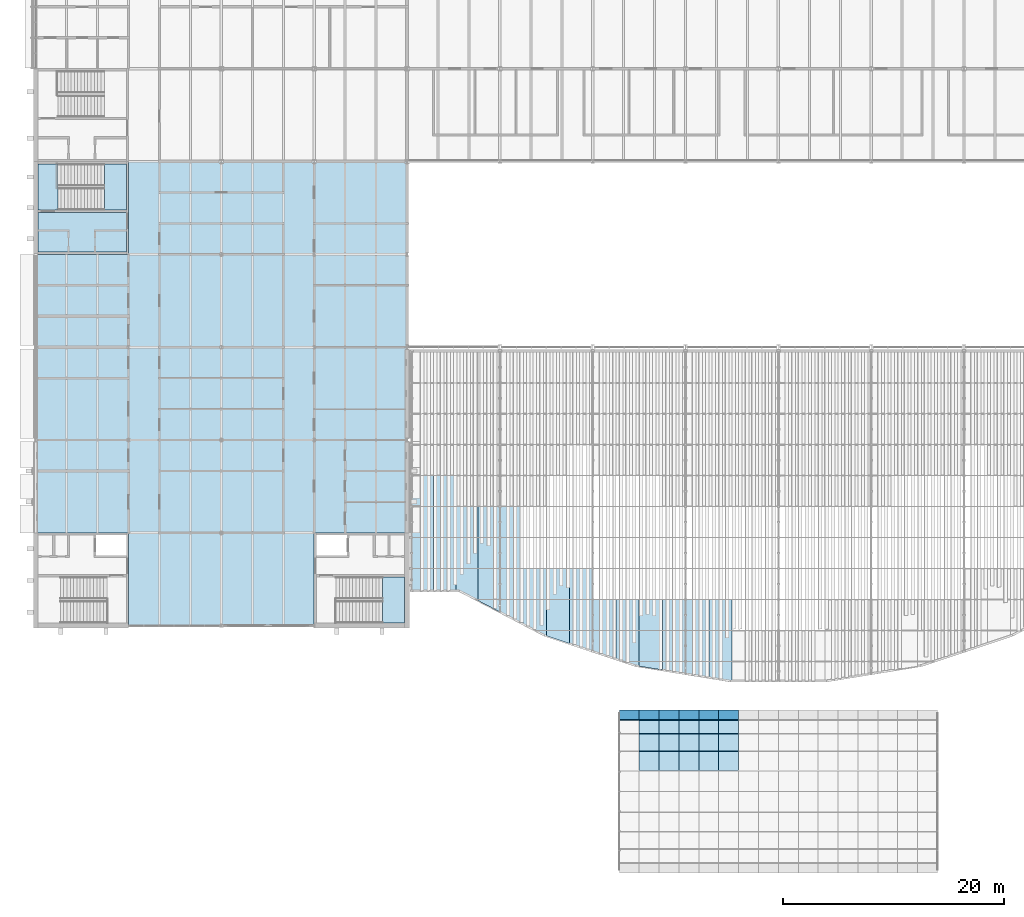
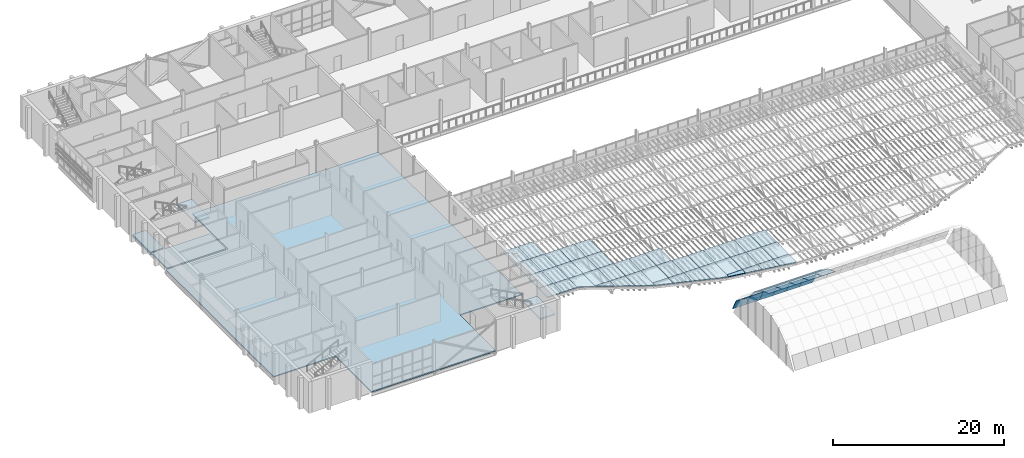
# One storey, part 67 of 129: 64 plates, 6 slabs, 2 elements without a shape of their own.
"""IFC4 building model written with IfcOpenShell, lengths in metres."""

from ifc_helpers import new_model, si_unit, direction, frame, origin, place, context, subcontext, project, spatial, polyline, outline, extrude, material, layer, layer_set, type_object, element, aggregate, save


model = new_model("IFC4")

# Units and contexts
model_context = context("Model", 3, precision=1e-05, world=origin(), true_north=direction((0.0, 1.0)))
body_context = subcontext(model_context, "Body", "Model", "MODEL_VIEW")
ifc_project = project(units=[si_unit("LENGTHUNIT", "METRE"), si_unit("AREAUNIT", "SQUARE_METRE"), si_unit("VOLUMEUNIT", "CUBIC_METRE"), si_unit("PLANEANGLEUNIT", "RADIAN"), si_unit("MASSUNIT", "GRAM", prefix="KILO")], contexts=[model_context])

# Site, building, storey
site_placement = place(None, origin())
site = spatial("IfcSite", under=ifc_project, at=site_placement, CompositionType="ELEMENT")
building_placement = place(site_placement, origin())
building = spatial("IfcBuilding", under=site, at=building_placement, Name="Ardhachandra Cancer Care Centre", CompositionType="ELEMENT")
storey_placement = place(building_placement, frame((0.0, 0.0, 4.5)))
storey = spatial("IfcBuildingStorey", under=building, at=storey_placement, Name="L01", CompositionType="ELEMENT", Elevation=4.5)

# Slabs
ifc_material_1 = material(Name="Composite slab Concrete M30 on steel deck", Category="concrete")
ifc_layer_1 = layer(ifc_material_1, 0.14990234375)
ifc_layer_set_1 = layer_set([ifc_layer_1], Name="Composite slab Concrete M30 on steel deck")
slab_type_1 = type_object("IfcSlabType", Name="Composite floor slab 150", PredefinedType="FLOOR", material=ifc_layer_set_1)
slab_1_placement = place(storey_placement, frame((0.0, 0.0, -0.14990234375)))
element("IfcSlab", 1, at=slab_1_placement, inside=storey, type_object=slab_type_1, Name="Floor slab V2", PredefinedType="FLOOR", context=body_context, shape_type="SweptSolid", body=[
    extrude(outline(polyline([(44.39990234375, 54.60009765625), (44.39990234375, 71.39990234375), (19.199951171875, 71.39990234375), (19.199951171875, 63.0), (10.800048828125, 63.0), (10.800048828125, 37.800048828125), (19.199951171875, 37.800048828125), (19.199951171875, 29.39990234375), (36.0, 29.39990234375), (36.0, 37.800048828125), (44.39990234375, 37.800048828125), (44.39990234375, 54.60009765625)])), origin(), (0.0, 0.0, 1.0), 0.14990234375),
])
ifc_material_2 = material(Name="Concrete M40", Category="concrete")
ifc_layer_2 = layer(ifc_material_2, 0.14990234375)
ifc_layer_set_2 = layer_set([ifc_layer_2], Name="Concrete M40")
slab_type_2 = type_object("IfcSlabType", Name="Core floor slab 150", PredefinedType="FLOOR", material=ifc_layer_set_2)
slab_2_placement = place(storey_placement, frame((0.0, 0.0, -0.14990234375)))
element("IfcSlab", 2, at=slab_2_placement, inside=storey, type_object=slab_type_2, Name="Core floor slab K3 L01 1", PredefinedType="FLOOR", context=body_context, shape_type="SweptSolid", body=[
    extrude(outline(polyline([(11.02490234375, 71.199951171875), (11.02490234375, 67.0), (12.800048828125, 67.0), (12.800048828125, 71.199951171875), (11.02490234375, 71.199951171875)])), origin(), (0.0, 0.0, 1.0), 0.14990234375),
])
slab_3_placement = place(storey_placement, frame((0.0, 0.0, -0.14990234375)))
element("IfcSlab", 3, at=slab_3_placement, inside=storey, type_object=slab_type_2, Name="Core floor slab K3 L01 2", PredefinedType="FLOOR", context=body_context, shape_type="SweptSolid", body=[
    extrude(outline(polyline([(11.02490234375, 63.199951171875), (19.0, 63.199951171875), (19.0, 66.800048828125), (11.02490234375, 66.800048828125), (11.02490234375, 63.199951171875)])), origin(), (0.0, 0.0, 1.0), 0.14990234375),
])
ifc_material_3 = material(Name="Concrete M40", Category="concrete")
ifc_layer_3 = layer(ifc_material_3, 0.300048828125)
ifc_layer_set_3 = layer_set([ifc_layer_3], Name="Concrete M40")
slab_type_3 = type_object("IfcSlabType", Name="Core stair edge slab 300", PredefinedType="FLOOR", material=ifc_layer_set_3)
slab_4_placement = place(storey_placement, frame((0.0, 0.0, -0.449951171875)))
element("IfcSlab", 4, at=slab_4_placement, inside=storey, type_object=slab_type_3, Name="Core stair edge slab K3 L01", PredefinedType="FLOOR", context=body_context, shape_type="SweptSolid", body=[
    extrude(outline(polyline([(12.800048828125, 71.199951171875), (12.800048828125, 67.0), (11.02490234375, 67.0), (11.02490234375, 71.199951171875), (12.800048828125, 71.199951171875)])), origin(), (0.0, 0.0, 1.0), 0.300048828125),
])

# Plates
ifc_material_4 = material(Name="Glass, laminated low-e insulating unit", Category="glass")
ifc_layer_4 = layer(ifc_material_4, 0.1201171875)
ifc_layer_set_4 = layer_set([ifc_layer_4], Name="Glass, laminated low-e insulating unit")
plate_type_1 = type_object("IfcPlateType", Name="Court glass cassette 120", PredefinedType="SHEET", material=ifc_layer_set_4)
for number, where, z_axis, x_axis, name in (
    (5, (46.811279296875, 42.97509765625, 2.839599609375), (0.0, -0.02005002746, 0.999798977995), (0.0, -0.999798977995, -0.02005002746), "Court glass cassette 1-5-1"),
    (6, (46.811279296875, 40.175048828125, 2.783447265625), (0.0, -0.02005002746, 0.999798977995), (0.0, 0.999798977995, 0.02005002746), "Court glass cassette 1-5-2"),
    (7, (46.811279296875, 40.175048828125, 2.783447265625), (0.0, -0.019962888244, 0.999800721691), (0.0, -0.999800721691, -0.019962888244), "Court glass cassette 1-6-1"),
    (8, (46.811279296875, 37.375, 2.7275390625), (0.0, -0.019962888244, 0.999800721691), (0.0, 0.999800721691, 0.019962888244), "Court glass cassette 1-6-2"),
):
    element("IfcPlate", number, at=place(storey_placement, frame(where, z_axis=z_axis, x_axis=x_axis)), inside=storey, type_object=plate_type_1, Name=name, PredefinedType="SHEET", context=body_context, shape_type="SweptSolid", body=[
        extrude(outline(polyline([(0.0, -1.996337890625), (2.800537109375, -1.996337890625), (2.800537109375, 0.0), (0.0, 0.0), (0.0, -1.996337890625)])), frame((0.0, 0.0, -0.1201171875)), (0.0, 0.0, 1.0), 0.1201171875),
    ])
plate_1_placement = place(storey_placement, frame((48.8076171875, 37.375, 2.7275390625), z_axis=(0.0, -0.019962888244, 0.999800721691), x_axis=(0.0, 0.999800721691, 0.019962888244)))
element("IfcPlate", 9, at=plate_1_placement, inside=storey, type_object=plate_type_1, Name="Court glass cassette 1-6-3", PredefinedType="SHEET", context=body_context, shape_type="SweptSolid", body=[
    extrude(outline(polyline([(0.0, -1.99609375), (2.800537109375, -1.99609375), (2.800537109375, 0.0), (0.0, 0.0), (0.0, -1.99609375)])), frame((0.0, 0.0, -0.1201171875)), (0.0, 0.0, 1.0), 0.1201171875),
])
for number, where, z_axis, x_axis, name in (
    (10, (50.8037109375, 37.375, 2.7275390625), (0.0, -0.019962888244, 0.999800721691), (0.0, 0.999800721691, 0.019962888244), "Court glass cassette 1-6-4"),
    (11, (46.811279296875, 37.375, 2.7275390625), (0.0, -0.02005002746, 0.999798977995), (0.0, -0.999798977995, -0.02005002746), "Court glass cassette 1-7-1"),
    (12, (46.811279296875, 34.574951171875, 2.67138671875), (0.0, -0.02005002746, 0.999798977995), (0.0, 0.999798977995, 0.02005002746), "Court glass cassette 1-7-2"),
):
    element("IfcPlate", number, at=place(storey_placement, frame(where, z_axis=z_axis, x_axis=x_axis)), inside=storey, type_object=plate_type_1, Name=name, PredefinedType="SHEET", context=body_context, shape_type="SweptSolid", body=[
        extrude(outline(polyline([(0.0, -1.996337890625), (2.800537109375, -1.996337890625), (2.800537109375, 0.0), (0.0, 0.0), (0.0, -1.996337890625)])), frame((0.0, 0.0, -0.1201171875)), (0.0, 0.0, 1.0), 0.1201171875),
    ])
plate_2_placement = place(storey_placement, frame((48.8076171875, 34.574951171875, 2.67138671875), z_axis=(0.0, -0.02005002746, 0.999798977995), x_axis=(0.0, 0.999798977995, 0.02005002746)))
element("IfcPlate", 13, at=plate_2_placement, inside=storey, type_object=plate_type_1, Name="Court glass cassette 1-7-3", PredefinedType="SHEET", context=body_context, shape_type="SweptSolid", body=[
    extrude(outline(polyline([(0.0, -1.99609375), (2.800537109375, -1.99609375), (2.800537109375, 0.0), (0.0, 0.0), (0.0, -1.99609375)])), frame((0.0, 0.0, -0.1201171875)), (0.0, 0.0, 1.0), 0.1201171875),
])
plate_3_placement = place(storey_placement, frame((50.8037109375, 34.574951171875, 2.67138671875), z_axis=(0.0, -0.02005002746, 0.999798977995), x_axis=(0.0, 0.999798977995, 0.02005002746)))
element("IfcPlate", 14, at=plate_3_placement, inside=storey, type_object=plate_type_1, Name="Court glass cassette 1-7-4", PredefinedType="SHEET", context=body_context, shape_type="SweptSolid", body=[
    extrude(outline(polyline([(0.0, -1.996337890625), (2.800537109375, -1.996337890625), (2.800537109375, 0.0), (0.0, 0.0), (0.0, -1.996337890625)])), frame((0.0, 0.0, -0.1201171875)), (0.0, 0.0, 1.0), 0.1201171875),
])
plate_4_placement = place(storey_placement, frame((46.811279296875, 34.574951171875, 2.67138671875), z_axis=(0.0, -0.019962139587, 0.999800736639), x_axis=(0.0, -0.999800736639, -0.019962139587)))
element("IfcPlate", 15, at=plate_4_placement, inside=storey, type_object=plate_type_1, Name="Court glass cassette 1-8-1", PredefinedType="SHEET", context=body_context, shape_type="SweptSolid", body=[
    extrude(outline(polyline([(0.0, -1.996337890625), (2.01806640625, -1.996337890625), (2.01806640625, 0.0), (0.0, 0.0), (0.0, -1.996337890625)])), frame((0.0, 0.0, -0.1201171875)), (0.0, 0.0, 1.0), 0.1201171875),
])
plate_5_placement = place(storey_placement, frame((46.811279296875, 34.574951171875, 2.67138671875), z_axis=(0.0, -0.019962139587, 0.999800736639), x_axis=(1.0, 0.0, 0.0)))
element("IfcPlate", 16, at=plate_5_placement, inside=storey, type_object=plate_type_1, Name="Court glass cassette 1-8-2", PredefinedType="SHEET", context=body_context, shape_type="SweptSolid", body=[
    extrude(outline(polyline([(0.0, -2.01806640625), (1.996337890625, -2.01806640625), (1.996337890625, 0.0), (0.0, 0.0), (0.0, -2.01806640625)])), frame((0.0, 0.0, -0.1201171875)), (0.0, 0.0, 1.0), 0.1201171875),
])
plate_6_placement = place(storey_placement, frame((48.8076171875, 34.574951171875, 2.67138671875), z_axis=(4.45122e-07, -0.019962548512, 0.999800728474), x_axis=(1.0, 8.886e-09, -4.45034e-07)))
element("IfcPlate", 17, at=plate_6_placement, inside=storey, type_object=plate_type_1, Name="Court glass cassette 1-8-3", PredefinedType="SHEET", context=body_context, shape_type="SweptSolid", body=[
    extrude(outline(polyline([(0.0, -2.01806640625), (0.32080078125, -2.01806640625), (1.817138671875, -2.800537109375), (1.99609375, -2.800537109375), (1.99609375, 0.0), (0.0, 0.0), (0.0, -2.01806640625)])), frame((0.0, 0.0, -0.1201171875)), (0.0, 0.0, 1.0), 0.1201171875),
])
plate_7_placement = place(storey_placement, frame((50.8037109375, 31.77490234375, 2.615478515625), z_axis=(0.0, -0.019962888244, 0.999800721691), x_axis=(0.0, 0.999800721691, 0.019962888244)))
element("IfcPlate", 18, at=plate_7_placement, inside=storey, type_object=plate_type_1, Name="Court glass cassette 1-8-4", PredefinedType="SHEET", context=body_context, shape_type="SweptSolid", body=[
    extrude(outline(polyline([(0.0, -1.996337890625), (2.800537109375, -1.996337890625), (2.800537109375, 0.0), (0.0, 0.0), (0.0, -1.996337890625)])), frame((0.0, 0.0, -0.1201171875)), (0.0, 0.0, 1.0), 0.1201171875),
])
plate_8_placement = place(storey_placement, frame((50.8037109375, 31.77490234375, 2.615478515625), z_axis=(-3.9899555e-05, -0.020031686933, 0.999799344832), x_axis=(0.999999999204, -7.99255e-07, 3.9891549e-05)))
element("IfcPlate", 19, at=plate_8_placement, inside=storey, type_object=plate_type_1, Name="Court glass cassette 1-9-4", PredefinedType="SHEET", context=body_context, shape_type="SweptSolid", body=[
    extrude(outline(polyline([(0.0, -0.093505859375), (1.996337890625, -1.137451171875), (1.996337890625, 0.0), (0.0, 0.0), (0.0, -0.093505859375)])), frame((0.0, 0.0, -0.1201171875)), (0.0, 0.0, 1.0), 0.1201171875),
])
for number, where, z_axis, x_axis, name in (
    (20, (52.800048828125, 37.375, 2.7275390625), (0.0, -0.019962888244, 0.999800721691), (0.0, 0.999800721691, 0.019962888244), "Court glass cassette 2-6-1"),
    (21, (52.800048828125, 34.574951171875, 2.67138671875), (0.0, -0.02005002746, 0.999798977995), (0.0, 0.999798977995, 0.02005002746), "Court glass cassette 2-7-1"),
    (22, (52.800048828125, 31.77490234375, 2.615478515625), (0.0, -0.019962888244, 0.999800721691), (0.0, 0.999800721691, 0.019962888244), "Court glass cassette 2-8-1"),
):
    element("IfcPlate", number, at=place(storey_placement, frame(where, z_axis=z_axis, x_axis=x_axis)), inside=storey, type_object=plate_type_1, Name=name, PredefinedType="SHEET", context=body_context, shape_type="SweptSolid", body=[
        extrude(outline(polyline([(0.0, -2.099853515625), (2.800537109375, -2.099853515625), (2.800537109375, 0.0), (0.0, 0.0), (0.0, -2.099853515625)])), frame((0.0, 0.0, -0.1201171875)), (0.0, 0.0, 1.0), 0.1201171875),
    ])
for number, where, z_axis, x_axis, name in (
    (23, (54.89990234375, 31.77490234375, 2.615478515625), (0.0, -0.019962888244, 0.999800721691), (0.0, 0.999800721691, 0.019962888244), "Court glass cassette 2-8-2"),
    (24, (57.0, 31.77490234375, 2.615478515625), (0.0, -0.019962888244, 0.999800721691), (0.0, 0.999800721691, 0.019962888244), "Court glass cassette 2-8-3"),
):
    element("IfcPlate", number, at=place(storey_placement, frame(where, z_axis=z_axis, x_axis=x_axis)), inside=storey, type_object=plate_type_1, Name=name, PredefinedType="SHEET", context=body_context, shape_type="SweptSolid", body=[
        extrude(outline(polyline([(0.0, -2.10009765625), (2.800537109375, -2.10009765625), (2.800537109375, 0.0), (0.0, 0.0), (0.0, -2.10009765625)])), frame((0.0, 0.0, -0.1201171875)), (0.0, 0.0, 1.0), 0.1201171875),
    ])
plate_9_placement = place(storey_placement, frame((59.10009765625, 31.77490234375, 2.615478515625), z_axis=(0.0, -0.019962888244, 0.999800721691), x_axis=(0.0, 0.999800721691, 0.019962888244)))
element("IfcPlate", 25, at=plate_9_placement, inside=storey, type_object=plate_type_1, Name="Court glass cassette 2-8-4", PredefinedType="SHEET", context=body_context, shape_type="SweptSolid", body=[
    extrude(outline(polyline([(0.0, -2.099853515625), (2.800537109375, -2.099853515625), (2.800537109375, 0.0), (0.0, 0.0), (0.0, -2.099853515625)])), frame((0.0, 0.0, -0.1201171875)), (0.0, 0.0, 1.0), 0.1201171875),
])
plate_10_placement = place(storey_placement, frame((52.800048828125, 31.77490234375, 2.615478515625), z_axis=(8.407016e-06, -0.019977189628, 0.999800435999), x_axis=(0.999999999965, 1.67949e-07, -8.405338e-06)))
element("IfcPlate", 26, at=plate_10_placement, inside=storey, type_object=plate_type_1, Name="Court glass cassette 2-9-1", PredefinedType="SHEET", context=body_context, shape_type="SweptSolid", body=[
    extrude(outline(polyline([(0.0, -1.137451171875), (2.099853515625, -2.235595703125), (2.099853515625, 0.0), (0.0, 0.0), (0.0, -1.137451171875)])), frame((0.0, 0.0, -0.1201171875)), (0.0, 0.0, 1.0), 0.1201171875),
])
plate_11_placement = place(storey_placement, frame((57.0, 28.473388671875, 2.549560546875), z_axis=(-1.6498352e-05, -0.019979320467, 0.999800393319), x_axis=(-0.948807903241, 0.315790970556, 0.006294891737)))
element("IfcPlate", 27, at=plate_11_placement, inside=storey, type_object=plate_type_1, Name="Court glass cassette 2-9-2", PredefinedType="SHEET", context=body_context, shape_type="SweptSolid", body=[
    extrude(outline(polyline([(0.158447265625, -0.47607421875), (1.04296875, -3.133056640625), (3.03564453125, -2.4697265625), (2.32958984375, -0.3486328125), (1.126220703125, -0.154052734375), (0.175537109375, 0.0), (0.0, 0.0), (0.158447265625, -0.47607421875)])), frame((0.0, 0.0, -0.1201171875)), (0.0, 0.0, 1.0), 0.1201171875),
])
plate_12_placement = place(storey_placement, frame((57.0, 28.97509765625, 2.5595703125), z_axis=(0.0, -0.019964628297, 0.999800686946), x_axis=(0.0, 0.999800686946, 0.019964628297)))
element("IfcPlate", 28, at=plate_12_placement, inside=storey, type_object=plate_type_1, Name="Court glass cassette 2-9-3", PredefinedType="SHEET", context=body_context, shape_type="SweptSolid", body=[
    extrude(outline(polyline([(0.0, -2.10009765625), (2.80029296875, -2.10009765625), (2.80029296875, 0.0), (0.0, 0.0), (0.0, -2.10009765625)])), frame((0.0, 0.0, -0.1201171875)), (0.0, 0.0, 1.0), 0.1201171875),
])
plate_13_placement = place(storey_placement, frame((59.10009765625, 28.97509765625, 2.5595703125), z_axis=(0.0, -0.019964628297, 0.999800686946), x_axis=(0.0, 0.999800686946, 0.019964628297)))
element("IfcPlate", 29, at=plate_13_placement, inside=storey, type_object=plate_type_1, Name="Court glass cassette 2-9-4", PredefinedType="SHEET", context=body_context, shape_type="SweptSolid", body=[
    extrude(outline(polyline([(0.0, -2.099853515625), (2.80029296875, -2.099853515625), (2.80029296875, 0.0), (0.0, 0.0), (0.0, -2.099853515625)])), frame((0.0, 0.0, -0.1201171875)), (0.0, 0.0, 1.0), 0.1201171875),
])
plate_14_placement = place(storey_placement, frame((57.0, 28.97509765625, 2.5595703125), z_axis=(3.1495599e-05, -0.020079152922, 0.99979839299), x_axis=(0.999999999504, 6.32405e-07, -3.1489249e-05)))
element("IfcPlate", 30, at=plate_14_placement, inside=storey, type_object=plate_type_1, Name="Court glass cassette 2-10-3", PredefinedType="SHEET", context=body_context, shape_type="SweptSolid", body=[
    extrude(outline(polyline([(0.0, -0.501708984375), (2.10009765625, -1.200439453125), (2.10009765625, 0.0), (0.0, 0.0), (0.0, -0.501708984375)])), frame((0.0, 0.0, -0.1201171875)), (0.0, 0.0, 1.0), 0.1201171875),
])
plate_15_placement = place(storey_placement, frame((59.10009765625, 28.97509765625, 2.5595703125), z_axis=(-2.8625555e-05, -0.020084178706, 0.99979829213), x_axis=(0.99999999959, -5.74921e-07, 2.8619781e-05)))
element("IfcPlate", 31, at=plate_15_placement, inside=storey, type_object=plate_type_1, Name="Court glass cassette 2-10-4", PredefinedType="SHEET", context=body_context, shape_type="SweptSolid", body=[
    extrude(outline(polyline([(0.0, -1.200439453125), (2.099853515625, -1.8994140625), (2.099853515625, 0.0), (0.0, 0.0), (0.0, -1.200439453125)])), frame((0.0, 0.0, -0.1201171875)), (0.0, 0.0, 1.0), 0.1201171875),
])
plate_16_placement = place(storey_placement, frame((61.199951171875, 28.97509765625, 2.5595703125), z_axis=(0.0, -0.019964628297, 0.999800686946), x_axis=(0.0, 0.999800686946, 0.019964628297)))
element("IfcPlate", 32, at=plate_16_placement, inside=storey, type_object=plate_type_1, Name="Court glass cassette 3-9-1", PredefinedType="SHEET", context=body_context, shape_type="SweptSolid", body=[
    extrude(outline(polyline([(0.0, -2.10009765625), (2.80029296875, -2.10009765625), (2.80029296875, 0.0), (0.0, 0.0), (0.0, -2.10009765625)])), frame((0.0, 0.0, -0.1201171875)), (0.0, 0.0, 1.0), 0.1201171875),
])
plate_17_placement = place(storey_placement, frame((63.300048828125, 28.97509765625, 2.5595703125), z_axis=(0.0, -0.019964628297, 0.999800686946), x_axis=(0.0, 0.999800686946, 0.019964628297)))
element("IfcPlate", 33, at=plate_17_placement, inside=storey, type_object=plate_type_1, Name="Court glass cassette 3-9-2", PredefinedType="SHEET", context=body_context, shape_type="SweptSolid", body=[
    extrude(outline(polyline([(0.0, -2.099853515625), (2.80029296875, -2.099853515625), (2.80029296875, 0.0), (0.0, 0.0), (0.0, -2.099853515625)])), frame((0.0, 0.0, -0.1201171875)), (0.0, 0.0, 1.0), 0.1201171875),
])
for number, where, z_axis, x_axis, name in (
    (34, (65.39990234375, 28.97509765625, 2.5595703125), (0.0, -0.019964628297, 0.999800686946), (0.0, 0.999800686946, 0.019964628297), "Court glass cassette 3-9-3"),
    (35, (67.5, 28.97509765625, 2.5595703125), (0.0, -0.019964628297, 0.999800686946), (0.0, 0.999800686946, 0.019964628297), "Court glass cassette 3-9-4"),
):
    element("IfcPlate", number, at=place(storey_placement, frame(where, z_axis=z_axis, x_axis=x_axis)), inside=storey, type_object=plate_type_1, Name=name, PredefinedType="SHEET", context=body_context, shape_type="SweptSolid", body=[
        extrude(outline(polyline([(0.0, -2.10009765625), (2.80029296875, -2.10009765625), (2.80029296875, 0.0), (0.0, 0.0), (0.0, -2.10009765625)])), frame((0.0, 0.0, -0.1201171875)), (0.0, 0.0, 1.0), 0.1201171875),
    ])
plate_18_placement = place(storey_placement, frame((61.199951171875, 28.97509765625, 2.5595703125), z_axis=(-1.8743512e-05, -0.020031816122, 0.999799342864), x_axis=(0.999999999824, -3.75467e-07, 1.8739751e-05)))
element("IfcPlate", 36, at=plate_18_placement, inside=storey, type_object=plate_type_1, Name="Court glass cassette 3-10-1", PredefinedType="SHEET", context=body_context, shape_type="SweptSolid", body=[
    extrude(outline(polyline([(0.0, -1.8994140625), (2.10009765625, -2.597900390625), (2.10009765625, 0.0), (0.0, 0.0), (0.0, -1.8994140625)])), frame((0.0, 0.0, -0.1201171875)), (0.0, 0.0, 1.0), 0.1201171875),
])
plate_19_placement = place(storey_placement, frame((65.39990234375, 25.73388671875, 2.49462890625), z_axis=(1.7693132e-05, -0.020044659764, 0.999799085468), x_axis=(-0.987171664814, 0.159630040026, 0.00321784251)))
element("IfcPlate", 37, at=plate_19_placement, inside=storey, type_object=plate_type_1, Name="Court glass cassette 3-10-2", PredefinedType="SHEET", context=body_context, shape_type="SweptSolid", body=[
    extrude(outline(polyline([(0.070556640625, -0.435546875), (0.517578125, -3.2001953125), (2.590576171875, -2.864990234375), (2.17578125, -0.30029296875), (1.5419921875, -0.197509765625), (0.32421875, 0.0), (0.0, 0.0), (0.070556640625, -0.435546875)])), frame((0.0, 0.0, -0.1201171875)), (0.0, 0.0, 1.0), 0.1201171875),
])
for number, where, z_axis, x_axis, name in (
    (38, (65.39990234375, 26.175048828125, 2.50341796875), (0.0, -0.02005002746, 0.999798977995), (0.0, 0.999798977995, 0.02005002746), "Court glass cassette 3-10-3"),
    (39, (67.5, 26.175048828125, 2.50341796875), (0.0, -0.02005002746, 0.999798977995), (0.0, 0.999798977995, 0.02005002746), "Court glass cassette 3-10-4"),
):
    element("IfcPlate", number, at=place(storey_placement, frame(where, z_axis=z_axis, x_axis=x_axis)), inside=storey, type_object=plate_type_1, Name=name, PredefinedType="SHEET", context=body_context, shape_type="SweptSolid", body=[
        extrude(outline(polyline([(0.0, -2.10009765625), (2.800537109375, -2.10009765625), (2.800537109375, 0.0), (0.0, 0.0), (0.0, -2.10009765625)])), frame((0.0, 0.0, -0.1201171875)), (0.0, 0.0, 1.0), 0.1201171875),
    ])
plate_20_placement = place(storey_placement, frame((65.39990234375, 26.175048828125, 2.50341796875), z_axis=(1.0399546e-05, -0.019968057088, 0.999800618417), x_axis=(0.999999999946, 2.07659e-07, -1.0397473e-05)))
element("IfcPlate", 40, at=plate_20_placement, inside=storey, type_object=plate_type_1, Name="Court glass cassette 3-11-3", PredefinedType="SHEET", context=body_context, shape_type="SweptSolid", body=[
    extrude(outline(polyline([(0.0, -0.441162109375), (2.10009765625, -0.781494140625), (2.10009765625, 0.0), (0.0, 0.0), (0.0, -0.441162109375)])), frame((0.0, 0.0, -0.1201171875)), (0.0, 0.0, 1.0), 0.1201171875),
])
plate_21_placement = place(storey_placement, frame((67.5, 26.175048828125, 2.50341796875), z_axis=(6.681699e-06, -0.020013955256, 0.999799700715), x_axis=(0.999999999978, 1.33727e-07, -6.680361e-06)))
element("IfcPlate", 41, at=plate_21_placement, inside=storey, type_object=plate_type_1, Name="Court glass cassette 3-11-4", PredefinedType="SHEET", context=body_context, shape_type="SweptSolid", body=[
    extrude(outline(polyline([(0.0, -0.781494140625), (2.10009765625, -1.12158203125), (2.10009765625, 0.0), (0.0, 0.0), (0.0, -0.781494140625)])), frame((0.0, 0.0, -0.1201171875)), (0.0, 0.0, 1.0), 0.1201171875),
])
plate_22_placement = place(storey_placement, frame((69.60009765625, 28.97509765625, 2.5595703125), z_axis=(0.0, -0.019964628297, 0.999800686946), x_axis=(0.0, 0.999800686946, 0.019964628297)))
element("IfcPlate", 42, at=plate_22_placement, inside=storey, type_object=plate_type_1, Name="Court glass cassette 4-9-1", PredefinedType="SHEET", context=body_context, shape_type="SweptSolid", body=[
    extrude(outline(polyline([(0.0, -2.099853515625), (2.80029296875, -2.099853515625), (2.80029296875, 0.0), (0.0, 0.0), (0.0, -2.099853515625)])), frame((0.0, 0.0, -0.1201171875)), (0.0, 0.0, 1.0), 0.1201171875),
])
plate_23_placement = place(storey_placement, frame((71.699951171875, 28.97509765625, 2.5595703125), z_axis=(0.0, -0.019964628297, 0.999800686946), x_axis=(0.0, 0.999800686946, 0.019964628297)))
element("IfcPlate", 43, at=plate_23_placement, inside=storey, type_object=plate_type_1, Name="Court glass cassette 4-9-2", PredefinedType="SHEET", context=body_context, shape_type="SweptSolid", body=[
    extrude(outline(polyline([(0.0, -2.10009765625), (2.80029296875, -2.10009765625), (2.80029296875, 0.0), (0.0, 0.0), (0.0, -2.10009765625)])), frame((0.0, 0.0, -0.1201171875)), (0.0, 0.0, 1.0), 0.1201171875),
])
plate_24_placement = place(storey_placement, frame((69.60009765625, 26.175048828125, 2.50341796875), z_axis=(0.0, -0.02005002746, 0.999798977995), x_axis=(0.0, 0.999798977995, 0.02005002746)))
element("IfcPlate", 44, at=plate_24_placement, inside=storey, type_object=plate_type_1, Name="Court glass cassette 4-10-1", PredefinedType="SHEET", context=body_context, shape_type="SweptSolid", body=[
    extrude(outline(polyline([(0.0, -2.099853515625), (2.800537109375, -2.099853515625), (2.800537109375, 0.0), (0.0, 0.0), (0.0, -2.099853515625)])), frame((0.0, 0.0, -0.1201171875)), (0.0, 0.0, 1.0), 0.1201171875),
])
plate_25_placement = place(storey_placement, frame((71.699951171875, 26.175048828125, 2.50341796875), z_axis=(0.0, -0.02005002746, 0.999798977995), x_axis=(0.0, 0.999798977995, 0.02005002746)))
element("IfcPlate", 45, at=plate_25_placement, inside=storey, type_object=plate_type_1, Name="Court glass cassette 4-10-2", PredefinedType="SHEET", context=body_context, shape_type="SweptSolid", body=[
    extrude(outline(polyline([(0.0, -2.10009765625), (2.800537109375, -2.10009765625), (2.800537109375, 0.0), (0.0, 0.0), (0.0, -2.10009765625)])), frame((0.0, 0.0, -0.1201171875)), (0.0, 0.0, 1.0), 0.1201171875),
])
plate_26_placement = place(storey_placement, frame((69.60009765625, 26.175048828125, 2.50341796875), z_axis=(-4.5545409e-05, -0.01994120837, 0.999801153297), x_axis=(0.999999998963, -9.0823e-07, 4.5536352e-05)))
element("IfcPlate", 46, at=plate_26_placement, inside=storey, type_object=plate_type_1, Name="Court glass cassette 4-11-1", PredefinedType="SHEET", context=body_context, shape_type="SweptSolid", body=[
    extrude(outline(polyline([(0.0, -1.12158203125), (2.099853515625, -1.461669921875), (2.099853515625, 0.0), (0.0, 0.0), (0.0, -1.12158203125)])), frame((0.0, 0.0, -0.1201171875)), (0.0, 0.0, 1.0), 0.1201171875),
])
plate_27_placement = place(storey_placement, frame((71.699951171875, 26.175048828125, 2.50341796875), z_axis=(1.0214398e-05, -0.019891469395, 0.999802145097), x_axis=(0.999999999948, 2.03179e-07, -1.0212377e-05)))
element("IfcPlate", 47, at=plate_27_placement, inside=storey, type_object=plate_type_1, Name="Court glass cassette 4-11-2", PredefinedType="SHEET", context=body_context, shape_type="SweptSolid", body=[
    extrude(outline(polyline([(0.0, -1.461669921875), (1.956298828125, -1.778564453125), (2.10009765625, -1.778564453125), (2.10009765625, 0.0), (0.0, 0.0), (0.0, -1.461669921875)])), frame((0.0, 0.0, -0.1201171875)), (0.0, 0.0, 1.0), 0.1201171875),
])
ifc_material_5 = material(Name="Laminated heat-strengthened double-glazed unit")
ifc_layer_5 = layer(ifc_material_5, 0.035888671875)
ifc_layer_set_5 = layer_set([ifc_layer_5], Name="Laminated heat-strengthened double-glazed unit")
plate_type_2 = type_object("IfcPlateType", Name="Gridshell glazing 36", PredefinedType="SHEET", material=ifc_layer_set_5)
for number, where, z_axis, x_axis, name in (
    (48, (65.39990234375, 16.27734375, 5.753173828125), (0.0, 0.356164432165, 0.934423296617), (1.0, 0.0, 0.0), "Glazed cell P 2.7"),
    (49, (65.39990234375, 18.034423828125, 5.080810546875), (0.0, 0.570403184927, 0.821364843797), (1.0, 0.0, 0.0), "Glazed cell P 2.8"),
    (50, (67.199951171875, 16.27734375, 5.753173828125), (0.0, 0.356164432165, 0.934423296617), (1.0, 0.0, 0.0), "Glazed cell P 3.7"),
    (51, (67.199951171875, 18.034423828125, 5.080810546875), (0.0, 0.570403184927, 0.821364843797), (1.0, 0.0, 0.0), "Glazed cell P 3.8"),
    (52, (69.0, 16.27734375, 5.753173828125), (0.0, 0.356164432165, 0.934423296617), (1.0, 0.0, 0.0), "Glazed cell P 4.7"),
    (53, (69.0, 18.034423828125, 5.080810546875), (0.0, 0.570403184927, 0.821364843797), (1.0, 0.0, 0.0), "Glazed cell P 4.8"),
    (54, (70.800048828125, 16.27734375, 5.753173828125), (0.0, 0.356164432165, 0.934423296617), (1.0, 0.0, 0.0), "Glazed cell P 5.7"),
    (55, (70.800048828125, 18.034423828125, 5.080810546875), (0.0, 0.570403184927, 0.821364843797), (1.0, 0.0, 0.0), "Glazed cell P 5.8"),
):
    element("IfcPlate", number, at=place(storey_placement, frame(where, z_axis=z_axis, x_axis=x_axis)), inside=storey, type_object=plate_type_2, Name=name, PredefinedType="SHEET", context=body_context, shape_type="SweptSolid", body=[
        extrude(outline(polyline([(0.0, 0.0), (1.800048828125, 0.0), (1.800048828125, 1.861083984375), (0.0, 1.861083984375), (0.0, 0.0)])), origin(), (0.0, 0.0, 1.0), 0.035888671875),
    ])
for number, where, z_axis, x_axis, name in (
    (56, (72.60009765625, 16.27734375, 5.753173828125), (0.0, 0.356164432165, 0.934423296617), (1.0, 0.0, 0.0), "Glazed cell P 6.7"),
    (57, (72.60009765625, 18.034423828125, 5.080810546875), (0.0, 0.570403184927, 0.821364843797), (1.0, 0.0, 0.0), "Glazed cell P 6.8"),
):
    element("IfcPlate", number, at=place(storey_placement, frame(where, z_axis=z_axis, x_axis=x_axis)), inside=storey, type_object=plate_type_2, Name=name, PredefinedType="SHEET", context=body_context, shape_type="SweptSolid", body=[
        extrude(outline(polyline([(0.0, 0.0), (1.7998046875, 0.0), (1.7998046875, 1.861083984375), (0.0, 1.861083984375), (0.0, 0.0)])), origin(), (0.0, 0.0, 1.0), 0.035888671875),
    ])
ifc_material_6 = material(Name="Insulated metal roof panel (galvalume skins, PIR core)")
ifc_layer_6 = layer(ifc_material_6, 0.10009765625)
ifc_layer_set_6 = layer_set([ifc_layer_6], Name="Insulated metal roof panel (galvalume skins, PIR core)")
plate_type_3 = type_object("IfcPlateType", Name="Gridshell insulated panel 100", PredefinedType="SHEET", material=ifc_layer_set_6)
plate_28_placement = place(storey_placement, frame((63.60009765625, 20.818359375, 2.591064453125), z_axis=(0.0, 0.8878259961, 0.460179313582), x_axis=(1.0, 0.0, 0.0)))
element("IfcPlate", 58, at=plate_28_placement, inside=storey, type_object=plate_type_3, Name="Roof cell P 1.10", PredefinedType="SHEET", context=body_context, shape_type="SweptSolid", body=[
    extrude(outline(polyline([(0.0, 0.0), (1.7998046875, 0.0), (1.7998046875, 1.861083984375), (0.0, 1.861083984375), (0.0, 0.0)])), origin(), (0.0, 0.0, 1.0), 0.10009765625),
])
for number, where, z_axis, x_axis, name in (
    (59, (65.39990234375, 19.578125, 4.005859375), (0.0, 0.751160956112, 0.66011909381), (1.0, 0.0, 0.0), "Roof cell P 2.9"),
    (60, (65.39990234375, 20.818359375, 2.591064453125), (0.0, 0.8878259961, 0.460179313582), (1.0, 0.0, 0.0), "Roof cell P 2.10"),
    (61, (67.199951171875, 19.578125, 4.005859375), (0.0, 0.751160956112, 0.66011909381), (1.0, 0.0, 0.0), "Roof cell P 3.9"),
    (62, (67.199951171875, 20.818359375, 2.591064453125), (0.0, 0.8878259961, 0.460179313582), (1.0, 0.0, 0.0), "Roof cell P 3.10"),
    (63, (69.0, 19.578125, 4.005859375), (0.0, 0.751160956112, 0.66011909381), (1.0, 0.0, 0.0), "Roof cell P 4.9"),
    (64, (69.0, 20.818359375, 2.591064453125), (0.0, 0.8878259961, 0.460179313582), (1.0, 0.0, 0.0), "Roof cell P 4.10"),
    (65, (70.800048828125, 19.578125, 4.005859375), (0.0, 0.751160956112, 0.66011909381), (1.0, 0.0, 0.0), "Roof cell P 5.9"),
    (66, (70.800048828125, 20.818359375, 2.591064453125), (0.0, 0.8878259961, 0.460179313582), (1.0, 0.0, 0.0), "Roof cell P 5.10"),
):
    element("IfcPlate", number, at=place(storey_placement, frame(where, z_axis=z_axis, x_axis=x_axis)), inside=storey, type_object=plate_type_3, Name=name, PredefinedType="SHEET", context=body_context, shape_type="SweptSolid", body=[
        extrude(outline(polyline([(0.0, 0.0), (1.800048828125, 0.0), (1.800048828125, 1.861083984375), (0.0, 1.861083984375), (0.0, 0.0)])), origin(), (0.0, 0.0, 1.0), 0.10009765625),
    ])
for number, where, z_axis, x_axis, name in (
    (67, (72.60009765625, 19.578125, 4.005859375), (0.0, 0.751160956112, 0.66011909381), (1.0, 0.0, 0.0), "Roof cell P 6.9"),
    (68, (72.60009765625, 20.818359375, 2.591064453125), (0.0, 0.8878259961, 0.460179313582), (1.0, 0.0, 0.0), "Roof cell P 6.10"),
):
    element("IfcPlate", number, at=place(storey_placement, frame(where, z_axis=z_axis, x_axis=x_axis)), inside=storey, type_object=plate_type_3, Name=name, PredefinedType="SHEET", context=body_context, shape_type="SweptSolid", body=[
        extrude(outline(polyline([(0.0, 0.0), (1.7998046875, 0.0), (1.7998046875, 1.861083984375), (0.0, 1.861083984375), (0.0, 0.0)])), origin(), (0.0, 0.0, 1.0), 0.10009765625),
    ])

# Stair, slab
ifc_material_7 = material(Name="Concrete M40", Category="concrete")
stair_type = type_object("IfcStairType", Name="Dog-leg stair 2000", PredefinedType="HALF_TURN_STAIR", material=ifc_material_7)
stair_1_placement = place(storey_placement, origin())
stair_1 = element("IfcStair", 69, at=stair_1_placement, inside=storey, type_object=stair_type, Name="Stair K2 L01-L02", PredefinedType="HALF_TURN_STAIR")
ifc_material_8 = material(Name="Concrete M40", Category="concrete")
ifc_layer_7 = layer(ifc_material_8, 0.199951171875)
ifc_layer_set_7 = layer_set([ifc_layer_7], Name="Concrete M40")
slab_type_4 = type_object("IfcSlabType", Name="Stair landing 200", PredefinedType="LANDING", material=ifc_layer_set_7)
slab_5_placement = place(storey_placement, frame((0.0, 0.0, 2.050048828125)))
slab_5 = element("IfcSlab", 70, at=slab_5_placement, type_object=slab_type_4, Name="stair K2 L01-L02 landing 1", PredefinedType="LANDING", context=body_context, shape_type="SweptSolid", body=[
    extrude(outline(polyline([(42.175048828125, 29.625), (44.175048828125, 29.625), (44.175048828125, 33.824951171875), (42.175048828125, 33.824951171875), (42.175048828125, 29.625)])), origin(), (0.0, 0.0, 1.0), 0.199951171875),
])
aggregate(stair_1, [slab_5])

stair_2_placement = place(storey_placement, origin())
stair_2 = element("IfcStair", 71, at=stair_2_placement, inside=storey, type_object=stair_type, Name="Stair K3 L01-L02", PredefinedType="HALF_TURN_STAIR")
slab_6_placement = place(storey_placement, frame((0.0, 0.0, 2.050048828125)))
slab_6 = element("IfcSlab", 72, at=slab_6_placement, type_object=slab_type_4, Name="stair K3 L01-L02 landing 1", PredefinedType="LANDING", context=body_context, shape_type="SweptSolid", body=[
    extrude(outline(polyline([(17.0, 67.0), (19.0, 67.0), (19.0, 71.199951171875), (17.0, 71.199951171875), (17.0, 67.0)])), origin(), (0.0, 0.0, 1.0), 0.199951171875),
])
aggregate(stair_2, [slab_6])

save(model, "model.ifc")
